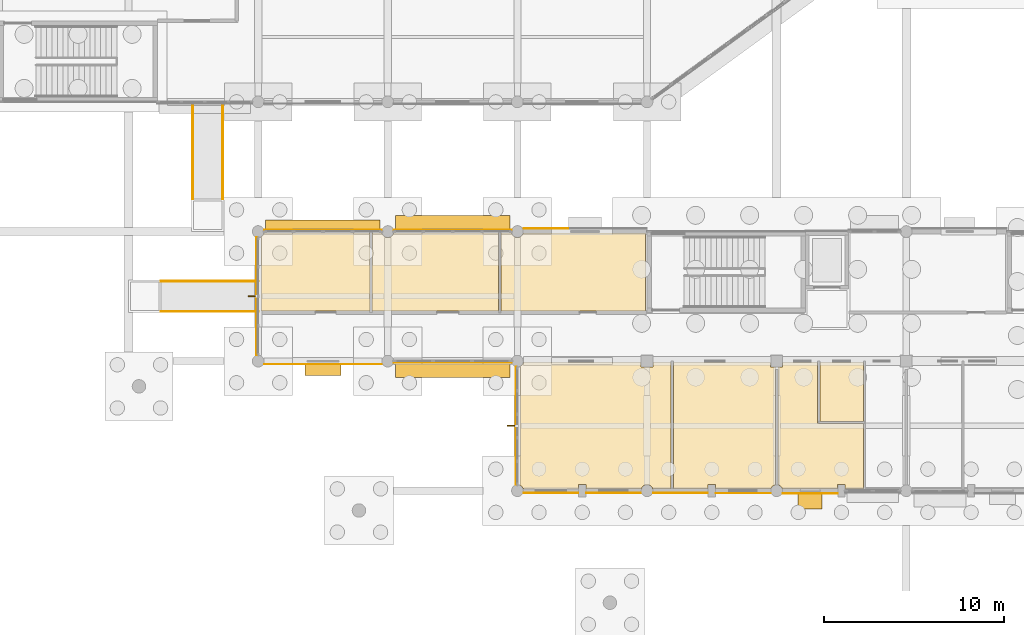
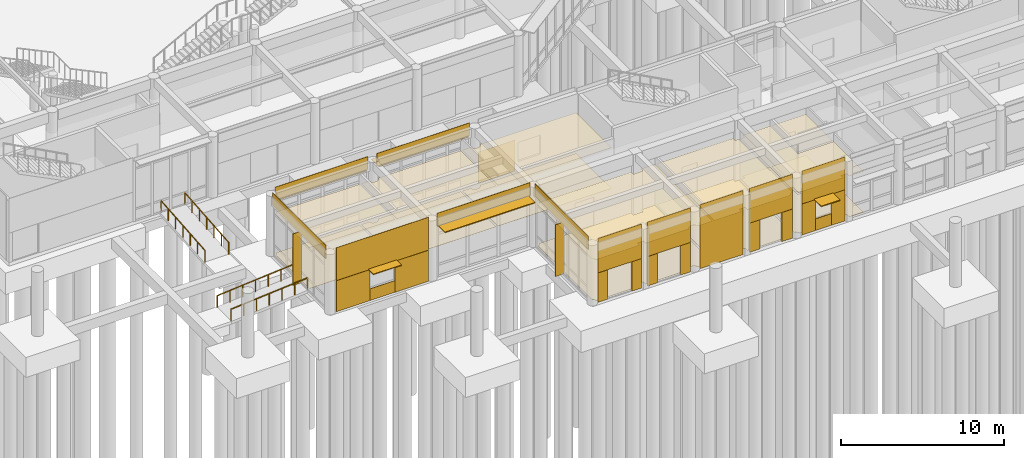
# One storey, part 75 of 103: 38 coverings, 7 shading devices, 4 railings.
"""IFC4 building model written with IfcOpenShell, lengths in metres."""

from ifc_helpers import new_model, si_unit, direction, frame, origin, origin_2d, place, context, subcontext, project, spatial, polyline, rectangle, circle, outline, extrude, material, layer, layer_set, type_object, element, save


model = new_model("IFC4")

# Units and contexts
model_context = context("Model", 3, precision=1e-05, world=origin(), true_north=direction((0.0, 1.0)))
body_context = subcontext(model_context, "Body", "Model", "MODEL_VIEW")
ifc_project = project(units=[si_unit("LENGTHUNIT", "METRE"), si_unit("AREAUNIT", "SQUARE_METRE"), si_unit("VOLUMEUNIT", "CUBIC_METRE"), si_unit("PLANEANGLEUNIT", "RADIAN"), si_unit("MASSUNIT", "GRAM", prefix="KILO")], contexts=[model_context])

# Site, building, storey
site_placement = place(None, origin())
site = spatial("IfcSite", under=ifc_project, at=site_placement, CompositionType="ELEMENT")
building_placement = place(site_placement, origin())
building = spatial("IfcBuilding", under=site, at=building_placement, Name="Namkhue Oval Health Centre", CompositionType="ELEMENT")
storey_placement = place(building_placement, origin())
storey = spatial("IfcBuildingStorey", under=building, at=storey_placement, Name="L00", CompositionType="ELEMENT", Elevation=0.0)

# Coverings
ifc_material_1 = material(Name="Acoustic mineral-fibre cleanroom ceiling", Category="gypsum")
ifc_layer_1 = layer(ifc_material_1, 0.02001953125)
ifc_layer_set_1 = layer_set([ifc_layer_1], Name="Acoustic mineral-fibre cleanroom ceiling")
covering_type_1 = type_object("IfcCoveringType", Name="ACOUSTIC CLEANROOM CEILING 20", PredefinedType="CEILING", material=ifc_layer_set_1)
covering_1_placement = place(storey_placement, frame((0.0, 0.0, 3.050048828125)))
element("IfcCovering", 1, at=covering_1_placement, inside=storey, type_object=covering_type_1, Name="Acoustic Ceiling L00-401 Ambulance Triage Entrance Room", PredefinedType="CEILING", context=body_context, shape_type="SweptSolid", body=[
    extrude(outline(polyline([(57.923828125, 14.485107421875), (57.89013671875, 14.5673828125), (57.8369140625, 14.636962890625), (57.767578125, 14.690185546875), (57.686767578125, 14.7236328125), (57.60009765625, 14.735107421875), (57.51318359375, 14.7236328125), (57.4326171875, 14.690185546875), (57.363037109375, 14.636962890625), (57.309814453125, 14.5673828125), (57.276123046875, 14.485107421875), (54.2099609375, 14.485107421875), (54.2099609375, 14.760009765625), (53.7900390625, 14.760009765625), (53.7900390625, 14.485107421875), (50.723876953125, 14.485107421875), (50.690185546875, 14.5673828125), (50.636962890625, 14.636962890625), (50.5673828125, 14.690185546875), (50.554931640625, 14.6953125), (50.554931640625, 21.3046875), (50.5673828125, 21.309814453125), (50.636962890625, 21.363037109375), (50.690185546875, 21.4326171875), (50.724609375, 21.52001953125), (57.264892578125, 21.52001953125), (57.264892578125, 21.264892578125), (57.93505859375, 21.264892578125), (57.93505859375, 21.52001953125), (58.93310546875, 21.52001953125), (58.93310546875, 14.485107421875), (57.923828125, 14.485107421875)])), origin(), (0.0, 0.0, 1.0), 0.02001953125),
])
covering_2_placement = place(storey_placement, frame((0.0, 0.0, 3.050048828125)))
element("IfcCovering", 2, at=covering_2_placement, inside=storey, type_object=covering_type_1, Name="Acoustic Ceiling L00-402 Fire Control Room", PredefinedType="CEILING", context=body_context, shape_type="SweptSolid", body=[
    extrude(outline(polyline([(61.409912109375, 14.485107421875), (61.409912109375, 14.760009765625), (60.989990234375, 14.760009765625), (60.989990234375, 14.485107421875), (59.072998046875, 14.485107421875), (59.072998046875, 21.52001953125), (64.465087890625, 21.52001953125), (64.465087890625, 21.264892578125), (64.72998046875, 21.264892578125), (64.72998046875, 14.725830078125), (64.71337890625, 14.7236328125), (64.632568359375, 14.690185546875), (64.56298828125, 14.636962890625), (64.510009765625, 14.5673828125), (64.476318359375, 14.485107421875), (61.409912109375, 14.485107421875)])), origin(), (0.0, 0.0, 1.0), 0.02001953125),
])
covering_3_placement = place(storey_placement, frame((0.0, 0.0, 3.050048828125)))
element("IfcCovering", 3, at=covering_3_placement, inside=storey, type_object=covering_type_1, Name="Acoustic Ceiling L00-403 Emergency Decontamination Utility", PredefinedType="CEILING", context=body_context, shape_type="SweptSolid", body=[
    extrude(outline(polyline([(67.080078125, 21.52001953125), (67.080078125, 18.139892578125), (69.6201171875, 18.139892578125), (69.6201171875, 14.485107421875), (68.610107421875, 14.485107421875), (68.610107421875, 14.760009765625), (68.18994140625, 14.760009765625), (68.18994140625, 14.485107421875), (65.123779296875, 14.485107421875), (65.090087890625, 14.5673828125), (65.036865234375, 14.636962890625), (64.967529296875, 14.690185546875), (64.88671875, 14.7236328125), (64.8701171875, 14.725830078125), (64.8701171875, 21.264892578125), (65.135009765625, 21.264892578125), (65.135009765625, 21.52001953125), (67.080078125, 21.52001953125)])), origin(), (0.0, 0.0, 1.0), 0.02001953125),
])
covering_4_placement = place(storey_placement, frame((0.0, 0.0, 3.050048828125)))
element("IfcCovering", 4, at=covering_4_placement, inside=storey, type_object=covering_type_1, Name="Acoustic Ceiling L00-404 Accessible WC", PredefinedType="CEILING", context=body_context, shape_type="SweptSolid", body=[
    extrude(outline(polyline([(67.199951171875, 18.260009765625), (67.199951171875, 21.52001953125), (69.6201171875, 21.52001953125), (69.6201171875, 18.260009765625), (67.199951171875, 18.260009765625)])), origin(), (0.0, 0.0, 1.0), 0.02001953125),
])
covering_5_placement = place(storey_placement, frame((0.0, 0.0, 3.050048828125)))
element("IfcCovering", 5, at=covering_5_placement, inside=storey, type_object=covering_type_1, Name="Acoustic Ceiling L00-409 Minor Trauma Suture Room", PredefinedType="CEILING", context=body_context, shape_type="SweptSolid", body=[
    extrude(outline(polyline([(36.14501953125, 24.3798828125), (36.14501953125, 28.50048828125), (36.16748046875, 28.510009765625), (36.23681640625, 28.56298828125), (36.2900390625, 28.632568359375), (36.32373046875, 28.715087890625), (42.212890625, 28.715087890625), (42.212890625, 24.3798828125), (36.14501953125, 24.3798828125)])), origin(), (0.0, 0.0, 1.0), 0.02001953125),
])
covering_6_placement = place(storey_placement, frame((0.0, 0.0, 3.050048828125)))
element("IfcCovering", 6, at=covering_6_placement, inside=storey, type_object=covering_type_1, Name="Acoustic Ceiling L00-410 Plaster Fracture Treatment Room", PredefinedType="CEILING", context=body_context, shape_type="SweptSolid", body=[
    extrude(outline(polyline([(42.3330078125, 24.3798828125), (42.3330078125, 28.715087890625), (42.876220703125, 28.715087890625), (42.909912109375, 28.632568359375), (42.963134765625, 28.56298828125), (43.032470703125, 28.510009765625), (43.11328125, 28.476318359375), (43.199951171875, 28.465087890625), (43.28662109375, 28.476318359375), (43.367431640625, 28.510009765625), (43.43701171875, 28.56298828125), (43.489990234375, 28.632568359375), (43.523681640625, 28.715087890625), (49.360107421875, 28.715087890625), (49.360107421875, 24.3798828125), (42.3330078125, 24.3798828125)])), origin(), (0.0, 0.0, 1.0), 0.02001953125),
])
covering_7_placement = place(storey_placement, frame((0.0, 0.0, 3.050048828125)))
element("IfcCovering", 7, at=covering_7_placement, inside=storey, type_object=covering_type_1, Name="Acoustic Ceiling L00-411 Ambulance Triage Consultation", PredefinedType="CEILING", context=body_context, shape_type="SweptSolid", body=[
    extrude(outline(polyline([(49.47998046875, 24.3798828125), (49.47998046875, 28.715087890625), (50.076171875, 28.715087890625), (50.10986328125, 28.632568359375), (50.1630859375, 28.56298828125), (50.232421875, 28.510009765625), (50.313232421875, 28.476318359375), (50.39990234375, 28.465087890625), (50.48681640625, 28.476318359375), (50.5673828125, 28.510009765625), (50.636962890625, 28.56298828125), (50.690185546875, 28.632568359375), (50.723876953125, 28.715087890625), (57.52001953125, 28.715087890625), (57.52001953125, 24.3798828125), (49.47998046875, 24.3798828125)])), origin(), (0.0, 0.0, 1.0), 0.02001953125),
])
ifc_material_2 = material(Name="Homogeneous anti-bacterial clinical vinyl flooring", Category="plastic")
ifc_layer_2 = layer(ifc_material_2, 0.014892578125)
ifc_layer_set_2 = layer_set([ifc_layer_2], Name="Homogeneous anti-bacterial clinical vinyl flooring")
covering_type_2 = type_object("IfcCoveringType", Name="CLINICAL ANTIBACTERIAL VINYL FLOORING 15", PredefinedType="FLOORING", material=ifc_layer_set_2)
covering_8_placement = place(storey_placement, origin())
element("IfcCovering", 8, at=covering_8_placement, inside=storey, type_object=covering_type_2, Name="Clinical Flooring L00-401 Ambulance Triage Entrance Room", PredefinedType="FLOORING", context=body_context, shape_type="SweptSolid", body=[
    extrude(outline(polyline([(57.923828125, 14.485107421875), (57.89013671875, 14.5673828125), (57.8369140625, 14.636962890625), (57.767578125, 14.690185546875), (57.686767578125, 14.7236328125), (57.60009765625, 14.735107421875), (57.51318359375, 14.7236328125), (57.4326171875, 14.690185546875), (57.363037109375, 14.636962890625), (57.309814453125, 14.5673828125), (57.276123046875, 14.485107421875), (54.2099609375, 14.485107421875), (54.2099609375, 14.760009765625), (53.7900390625, 14.760009765625), (53.7900390625, 14.485107421875), (50.723876953125, 14.485107421875), (50.690185546875, 14.5673828125), (50.636962890625, 14.636962890625), (50.5673828125, 14.690185546875), (50.554931640625, 14.6953125), (50.554931640625, 21.3046875), (50.5673828125, 21.309814453125), (50.636962890625, 21.363037109375), (50.690185546875, 21.4326171875), (50.724609375, 21.52001953125), (57.264892578125, 21.52001953125), (57.264892578125, 21.264892578125), (57.93505859375, 21.264892578125), (57.93505859375, 21.52001953125), (58.93310546875, 21.52001953125), (58.93310546875, 14.485107421875), (57.923828125, 14.485107421875)])), origin(), (0.0, 0.0, 1.0), 0.014892578125),
])
covering_9_placement = place(storey_placement, origin())
element("IfcCovering", 9, at=covering_9_placement, inside=storey, type_object=covering_type_2, Name="Clinical Flooring L00-402 Fire Control Room", PredefinedType="FLOORING", context=body_context, shape_type="SweptSolid", body=[
    extrude(outline(polyline([(61.409912109375, 14.485107421875), (61.409912109375, 14.760009765625), (60.989990234375, 14.760009765625), (60.989990234375, 14.485107421875), (59.072998046875, 14.485107421875), (59.072998046875, 21.52001953125), (64.465087890625, 21.52001953125), (64.465087890625, 21.264892578125), (64.72998046875, 21.264892578125), (64.72998046875, 14.725830078125), (64.71337890625, 14.7236328125), (64.632568359375, 14.690185546875), (64.56298828125, 14.636962890625), (64.510009765625, 14.5673828125), (64.476318359375, 14.485107421875), (61.409912109375, 14.485107421875)])), origin(), (0.0, 0.0, 1.0), 0.014892578125),
])
covering_10_placement = place(storey_placement, origin())
element("IfcCovering", 10, at=covering_10_placement, inside=storey, type_object=covering_type_2, Name="Clinical Flooring L00-403 Emergency Decontamination Utility", PredefinedType="FLOORING", context=body_context, shape_type="SweptSolid", body=[
    extrude(outline(polyline([(67.080078125, 21.52001953125), (67.080078125, 18.139892578125), (69.6201171875, 18.139892578125), (69.6201171875, 14.485107421875), (68.610107421875, 14.485107421875), (68.610107421875, 14.760009765625), (68.18994140625, 14.760009765625), (68.18994140625, 14.485107421875), (65.123779296875, 14.485107421875), (65.090087890625, 14.5673828125), (65.036865234375, 14.636962890625), (64.967529296875, 14.690185546875), (64.88671875, 14.7236328125), (64.8701171875, 14.725830078125), (64.8701171875, 21.264892578125), (65.135009765625, 21.264892578125), (65.135009765625, 21.52001953125), (67.080078125, 21.52001953125)])), origin(), (0.0, 0.0, 1.0), 0.014892578125),
])
covering_11_placement = place(storey_placement, origin())
element("IfcCovering", 11, at=covering_11_placement, inside=storey, type_object=covering_type_2, Name="Clinical Flooring L00-404 Accessible WC", PredefinedType="FLOORING", context=body_context, shape_type="SweptSolid", body=[
    extrude(outline(polyline([(67.199951171875, 18.260009765625), (67.199951171875, 21.52001953125), (69.6201171875, 21.52001953125), (69.6201171875, 18.260009765625), (67.199951171875, 18.260009765625)])), origin(), (0.0, 0.0, 1.0), 0.014892578125),
])
covering_12_placement = place(storey_placement, origin())
element("IfcCovering", 12, at=covering_12_placement, inside=storey, type_object=covering_type_2, Name="Clinical Flooring L00-409 Minor Trauma Suture Room", PredefinedType="FLOORING", context=body_context, shape_type="SweptSolid", body=[
    extrude(outline(polyline([(36.14501953125, 24.3798828125), (36.14501953125, 28.50048828125), (36.16748046875, 28.510009765625), (36.23681640625, 28.56298828125), (36.2900390625, 28.632568359375), (36.32373046875, 28.715087890625), (42.212890625, 28.715087890625), (42.212890625, 24.3798828125), (36.14501953125, 24.3798828125)])), origin(), (0.0, 0.0, 1.0), 0.014892578125),
])
covering_13_placement = place(storey_placement, origin())
element("IfcCovering", 13, at=covering_13_placement, inside=storey, type_object=covering_type_2, Name="Clinical Flooring L00-410 Plaster Fracture Treatment Room", PredefinedType="FLOORING", context=body_context, shape_type="SweptSolid", body=[
    extrude(outline(polyline([(42.3330078125, 24.3798828125), (42.3330078125, 28.715087890625), (42.876220703125, 28.715087890625), (42.909912109375, 28.632568359375), (42.963134765625, 28.56298828125), (43.032470703125, 28.510009765625), (43.11328125, 28.476318359375), (43.199951171875, 28.465087890625), (43.28662109375, 28.476318359375), (43.367431640625, 28.510009765625), (43.43701171875, 28.56298828125), (43.489990234375, 28.632568359375), (43.523681640625, 28.715087890625), (49.360107421875, 28.715087890625), (49.360107421875, 24.3798828125), (42.3330078125, 24.3798828125)])), origin(), (0.0, 0.0, 1.0), 0.014892578125),
])
covering_14_placement = place(storey_placement, origin())
element("IfcCovering", 14, at=covering_14_placement, inside=storey, type_object=covering_type_2, Name="Clinical Flooring L00-411 Ambulance Triage Consultation", PredefinedType="FLOORING", context=body_context, shape_type="SweptSolid", body=[
    extrude(outline(polyline([(49.47998046875, 24.3798828125), (49.47998046875, 28.715087890625), (50.076171875, 28.715087890625), (50.10986328125, 28.632568359375), (50.1630859375, 28.56298828125), (50.232421875, 28.510009765625), (50.313232421875, 28.476318359375), (50.39990234375, 28.465087890625), (50.48681640625, 28.476318359375), (50.5673828125, 28.510009765625), (50.636962890625, 28.56298828125), (50.690185546875, 28.632568359375), (50.723876953125, 28.715087890625), (57.52001953125, 28.715087890625), (57.52001953125, 24.3798828125), (49.47998046875, 24.3798828125)])), origin(), (0.0, 0.0, 1.0), 0.014892578125),
])

# Railings
ifc_material_3 = material(Name="Brushed stainless steel 304 tubular handrail", Category="steel")
railing_type = type_object("IfcRailingType", Name="EXTERIOR RAMP HANDRAIL 900", PredefinedType="HANDRAIL", material=ifc_material_3)
for number, where, name in (
    (15, (32.360107421875, 30.60009765625, -0.449951171875), "Waiting Hall South Pharmacy Ramp Handrail L"),
    (16, (34.0400390625, 30.60009765625, -0.449951171875), "Waiting Hall South Pharmacy Ramp Handrail R"),
):
    element("IfcRailing", number, at=place(storey_placement, frame(where)), inside=storey, type_object=railing_type, Name=name, PredefinedType="HANDRAIL", context=body_context, shape_type="SweptSolid", body=[
        extrude(circle(Radius=0.02392578125, at=origin_2d()), frame((0.0, 0.0, 0.8759765625), z_axis=(0.0, 0.996546379678, 0.083038022323), x_axis=(-1.0, 0.0, 0.0)), (0.0, 0.0, 1.0), 5.418701171875),
        extrude(circle(Radius=0.02099609375, at=origin_2d()), origin(), (0.0, 0.0, 1.0), 0.851806640625),
        extrude(circle(Radius=0.02099609375, at=origin_2d()), frame((0.0, 0.89990234375, 0.074951171875)), (0.0, 0.0, 1.0), 0.851806640625),
        extrude(circle(Radius=0.02099609375, at=origin_2d()), frame((0.0, 1.800048828125, 0.14990234375)), (0.0, 0.0, 1.0), 0.851806640625),
        extrude(circle(Radius=0.02099609375, at=origin_2d()), frame((0.0, 2.699951171875, 0.22509765625)), (0.0, 0.0, 1.0), 0.851806640625),
        extrude(circle(Radius=0.02099609375, at=origin_2d()), frame((0.0, 3.599853515625, 0.300048828125)), (0.0, 0.0, 1.0), 0.851806640625),
        extrude(circle(Radius=0.02099609375, at=origin_2d()), frame((0.0, 4.5, 0.375)), (0.0, 0.0, 1.0), 0.851806640625),
        extrude(circle(Radius=0.02099609375, at=origin_2d()), frame((0.0, 5.39990234375, 0.449951171875)), (0.0, 0.0, 1.0), 0.851806640625),
    ])
for number, where, name in (
    (17, (30.60009765625, 26.0400390625, -0.449951171875), "Emergency Triage West Arrival Ramp Handrail L"),
    (18, (30.60009765625, 24.360107421875, -0.449951171875), "Emergency Triage West Arrival Ramp Handrail R"),
):
    element("IfcRailing", number, at=place(storey_placement, frame(where)), inside=storey, type_object=railing_type, Name=name, PredefinedType="HANDRAIL", context=body_context, shape_type="SweptSolid", body=[
        extrude(circle(Radius=0.02392578125, at=origin_2d()), frame((0.0, 0.0, 0.8759765625), z_axis=(0.996546379678, 0.0, 0.083038022323), x_axis=(0.0, 1.0, 0.0)), (0.0, 0.0, 1.0), 5.418701171875),
        extrude(circle(Radius=0.02099609375, at=origin_2d()), origin(), (0.0, 0.0, 1.0), 0.851806640625),
        extrude(circle(Radius=0.02099609375, at=origin_2d()), frame((0.89990234375, 0.0, 0.074951171875)), (0.0, 0.0, 1.0), 0.851806640625),
        extrude(circle(Radius=0.02099609375, at=origin_2d()), frame((1.800048828125, 0.0, 0.14990234375)), (0.0, 0.0, 1.0), 0.851806640625),
        extrude(circle(Radius=0.02099609375, at=origin_2d()), frame((2.699951171875, 0.0, 0.22509765625)), (0.0, 0.0, 1.0), 0.851806640625),
        extrude(circle(Radius=0.02099609375, at=origin_2d()), frame((3.599853515625, 0.0, 0.300048828125)), (0.0, 0.0, 1.0), 0.851806640625),
        extrude(circle(Radius=0.02099609375, at=origin_2d()), frame((4.5, 0.0, 0.375)), (0.0, 0.0, 1.0), 0.851806640625),
        extrude(circle(Radius=0.02099609375, at=origin_2d()), frame((5.39990234375, 0.0, 0.449951171875)), (0.0, 0.0, 1.0), 0.851806640625),
    ])

# Shading devices
ifc_material_4 = material(Name="Anodised aluminium EN AW-6063 T6", Category="aluminium")
ifc_layer_3 = layer(ifc_material_4, 0.06005859375)
ifc_layer_set_3 = layer_set([ifc_layer_3], Name="Anodised aluminium EN AW-6063 T6")
shading_device_type_1 = type_object("IfcShadingDeviceType", Name="MONSOON SUN LOUVRE 900", PredefinedType="JALOUSIE", material=ifc_layer_set_3)
shading_device_1_placement = place(storey_placement, frame((66.662109375, 13.830078125, 2.340087890625), z_axis=(0.0, 0.0, 1.0), x_axis=(1.0, 0.0, 0.0)))
element("IfcShadingDevice", 19, at=shading_device_1_placement, inside=storey, type_object=shading_device_type_1, Name="Volume V4 L00 Window Monsoon Louvre 180", PredefinedType="JALOUSIE", context=body_context, shape_type="SweptSolid", body=[
    extrude(rectangle(XDim=1.340087890625, YDim=0.89990234375, at=origin_2d()), origin(), (0.0, 0.0, 1.0), 0.06005859375),
])
for number, where, z_axis, x_axis, name in (
    (20, (46.800048828125, 29.25, 3.7900390625), (0.0, 0.0, 1.0), (-1.0, 0.0, 0.0), "Volume V4 L00 Horizontal Monsoon Sun Louvre 190"),
    (21, (46.800048828125, 21.14990234375, 3.7900390625), (0.0, 0.0, 1.0), (1.0, 0.0, 0.0), "Volume V4 L00 Horizontal Monsoon Sun Louvre 194"),
):
    element("IfcShadingDevice", number, at=place(storey_placement, frame(where, z_axis=z_axis, x_axis=x_axis)), inside=storey, type_object=shading_device_type_1, Name=name, PredefinedType="JALOUSIE", context=body_context, shape_type="SweptSolid", body=[
        extrude(rectangle(XDim=6.360107421875, YDim=0.89990234375, at=origin_2d()), origin(), (0.0, 0.0, 1.0), 0.06005859375),
    ])
ifc_layer_4 = layer(ifc_material_4, 0.050048828125)
ifc_layer_set_4 = layer_set([ifc_layer_4], Name="Anodised aluminium EN AW-6063 T6")
shading_device_type_2 = type_object("IfcShadingDeviceType", Name="STORM SHUTTER LOUVRE 650", PredefinedType="SHUTTER", material=ifc_layer_set_4)
shading_device_2_placement = place(storey_placement, frame((39.60009765625, 29.125, 3.7900390625), z_axis=(0.0, 0.0, 1.0), x_axis=(-1.0, 0.0, 0.0)))
element("IfcShadingDevice", 22, at=shading_device_2_placement, inside=storey, type_object=shading_device_type_2, Name="Volume V4 L00 Horizontal Monsoon Sun Louvre 191", PredefinedType="SHUTTER", context=body_context, shape_type="SweptSolid", body=[
    extrude(rectangle(XDim=6.360107421875, YDim=0.64990234375, at=origin_2d()), origin(), (0.0, 0.0, 1.0), 0.06005859375),
])
shading_device_3_placement = place(storey_placement, frame((39.60009765625, 21.125, 2.340087890625), z_axis=(0.0, 0.0, 1.0), x_axis=(1.0, 0.0, 0.0)))
element("IfcShadingDevice", 23, at=shading_device_3_placement, inside=storey, type_object=shading_device_type_2, Name="Volume V4 L00 Window Monsoon Louvre 193", PredefinedType="SHUTTER", context=body_context, shape_type="SweptSolid", body=[
    extrude(rectangle(XDim=1.989990234375, YDim=0.64990234375, at=origin_2d()), origin(), (0.0, 0.0, 1.0), 0.06005859375),
])
shading_device_type_3 = type_object("IfcShadingDeviceType", Name="VERTICAL SOLAR FIN 600", PredefinedType="USERDEFINED", material=ifc_material_4)
for number, where, z_axis, x_axis, name in (
    (24, (35.739990234375, 25.199951171875, 0.0), (0.0, 0.0, 1.0), (-1.0, 0.0, 0.0), "Volume V4 L00 Extruded Aluminium Solar Fin 192"),
    (25, (50.139892578125, 18.0, 0.0), (0.0, 0.0, 1.0), (-1.0, 0.0, 0.0), "Volume V4 L00 Extruded Aluminium Solar Fin 195"),
):
    element("IfcShadingDevice", number, at=place(storey_placement, frame(where, z_axis=z_axis, x_axis=x_axis)), inside=storey, type_object=shading_device_type_3, Name=name, ObjectType="SOLAR FIN", PredefinedType="USERDEFINED", context=body_context, shape_type="SweptSolid", body=[
        extrude(rectangle(XDim=0.60009765625, YDim=0.06005859375, at=origin_2d()), origin(), (0.0, 0.0, 1.0), 3.860107421875),
    ])

# Coverings
ifc_material_5 = material(Name="White glass-fibre reinforced concrete GRC rainscreen cladding", Category="concrete")
ifc_layer_5 = layer(ifc_material_5, 0.02490234375)
ifc_layer_set_5 = layer_set([ifc_layer_5], Name="White glass-fibre reinforced concrete GRC rainscreen cladding")
covering_type_3 = type_object("IfcCoveringType", Name="WHITE GRC RAINSCREEN CLADDING 25", PredefinedType="CLADDING", material=ifc_layer_set_5)
covering_15_placement = place(storey_placement, frame((52.261962890625, 14.278076171875, 2.21484375), z_axis=(0.0, 0.0, 1.0), x_axis=(1.0, 0.0, 0.0)))
element("IfcCovering", 26, at=covering_15_placement, inside=storey, type_object=covering_type_3, Name="Volume V4 L00 Facade 85 White GRC Cladding 1", PredefinedType="CLADDING", context=body_context, shape_type="SweptSolid", body=[
    extrude(rectangle(XDim=3.0439453125, YDim=0.02490234375, at=origin_2d()), origin(), (0.0, 0.0, 1.0), 2.574951171875),
])
for number, where, z_axis, x_axis, name in (
    (27, (51.073486328125, 14.278076171875, 0.01025390625), (0.0, 0.0, 1.0), (1.0, 0.0, 0.0), "Volume V4 L00 Facade 85 White GRC Cladding 2"),
    (28, (53.450439453125, 14.278076171875, 0.01025390625), (0.0, 0.0, 1.0), (1.0, 0.0, 0.0), "Volume V4 L00 Facade 85 White GRC Cladding 3"),
):
    element("IfcCovering", number, at=place(storey_placement, frame(where, z_axis=z_axis, x_axis=x_axis)), inside=storey, type_object=covering_type_3, Name=name, PredefinedType="CLADDING", context=body_context, shape_type="SweptSolid", body=[
        extrude(rectangle(XDim=0.6669921875, YDim=0.02490234375, at=origin_2d()), origin(), (0.0, 0.0, 1.0), 2.199951171875),
    ])
covering_16_placement = place(storey_placement, frame((55.738037109375, 14.27294921875, 2.21484375), z_axis=(0.0, 0.0, 1.0), x_axis=(1.0, 0.0, 0.0)))
element("IfcCovering", 29, at=covering_16_placement, inside=storey, type_object=covering_type_3, Name="Volume V4 L00 Facade 86 White GRC Cladding 1", PredefinedType="CLADDING", context=body_context, shape_type="SweptSolid", body=[
    extrude(rectangle(XDim=3.0439453125, YDim=0.02490234375, at=origin_2d()), origin(), (0.0, 0.0, 1.0), 2.574951171875),
])
for number, where, z_axis, x_axis, name in (
    (30, (54.569580078125, 14.27294921875, 0.01025390625), (0.0, 0.0, 1.0), (1.0, 0.0, 0.0), "Volume V4 L00 Facade 86 White GRC Cladding 2"),
    (31, (56.906494140625, 14.27294921875, 0.01025390625), (0.0, 0.0, 1.0), (1.0, 0.0, 0.0), "Volume V4 L00 Facade 86 White GRC Cladding 3"),
):
    element("IfcCovering", number, at=place(storey_placement, frame(where, z_axis=z_axis, x_axis=x_axis)), inside=storey, type_object=covering_type_3, Name=name, PredefinedType="CLADDING", context=body_context, shape_type="SweptSolid", body=[
        extrude(rectangle(XDim=0.70703125, YDim=0.02490234375, at=origin_2d()), origin(), (0.0, 0.0, 1.0), 2.199951171875),
    ])
covering_17_placement = place(storey_placement, frame((59.4619140625, 14.26806640625, 0.009765625), z_axis=(0.0, 0.0, 1.0), x_axis=(1.0, 0.0, 0.0)))
element("IfcCovering", 32, at=covering_17_placement, inside=storey, type_object=covering_type_3, Name="Volume V4 L00 Facade 87 White GRC Cladding 1", PredefinedType="CLADDING", context=body_context, shape_type="SweptSolid", body=[
    extrude(rectangle(XDim=3.0439453125, YDim=0.02490234375, at=origin_2d()), origin(), (0.0, 0.0, 1.0), 4.780029296875),
])
covering_18_placement = place(storey_placement, frame((62.93798828125, 14.262939453125, 2.19482421875), z_axis=(0.0, 0.0, 1.0), x_axis=(1.0, 0.0, 0.0)))
element("IfcCovering", 33, at=covering_18_placement, inside=storey, type_object=covering_type_3, Name="Volume V4 L00 Facade 88 White GRC Cladding 1", PredefinedType="CLADDING", context=body_context, shape_type="SweptSolid", body=[
    extrude(rectangle(XDim=3.0439453125, YDim=0.02490234375, at=origin_2d()), origin(), (0.0, 0.0, 1.0), 2.594970703125),
])
for number, where, z_axis, x_axis, name in (
    (34, (61.78955078125, 14.262939453125, 0.01025390625), (0.0, 0.0, 1.0), (1.0, 0.0, 0.0), "Volume V4 L00 Facade 88 White GRC Cladding 2"),
    (35, (64.08642578125, 14.262939453125, 0.01025390625), (0.0, 0.0, 1.0), (1.0, 0.0, 0.0), "Volume V4 L00 Facade 88 White GRC Cladding 3"),
):
    element("IfcCovering", number, at=place(storey_placement, frame(where, z_axis=z_axis, x_axis=x_axis)), inside=storey, type_object=covering_type_3, Name=name, PredefinedType="CLADDING", context=body_context, shape_type="SweptSolid", body=[
        extrude(rectangle(XDim=0.7470703125, YDim=0.02490234375, at=origin_2d()), origin(), (0.0, 0.0, 1.0), 2.179931640625),
    ])
covering_19_placement = place(storey_placement, frame((66.662109375, 14.258056640625, 2.3349609375), z_axis=(0.0, 0.0, 1.0), x_axis=(1.0, 0.0, 0.0)))
element("IfcCovering", 36, at=covering_19_placement, inside=storey, type_object=covering_type_3, Name="Volume V4 L00 Facade 89 White GRC Cladding 1", PredefinedType="CLADDING", context=body_context, shape_type="SweptSolid", body=[
    extrude(rectangle(XDim=3.0439453125, YDim=0.02490234375, at=origin_2d()), origin(), (0.0, 0.0, 1.0), 2.455078125),
])
covering_20_placement = place(storey_placement, frame((65.618408203125, 14.258056640625, 0.009765625), z_axis=(0.0, 0.0, 1.0), x_axis=(1.0, 0.0, 0.0)))
element("IfcCovering", 37, at=covering_20_placement, inside=storey, type_object=covering_type_3, Name="Volume V4 L00 Facade 89 White GRC Cladding 2", PredefinedType="CLADDING", context=body_context, shape_type="SweptSolid", body=[
    extrude(rectangle(XDim=0.95703125, YDim=0.02490234375, at=origin_2d()), origin(), (0.0, 0.0, 1.0), 2.320068359375),
])
covering_21_placement = place(storey_placement, frame((66.662109375, 14.258056640625, 0.010009765625), z_axis=(0.0, 0.0, 1.0), x_axis=(1.0, 0.0, 0.0)))
element("IfcCovering", 38, at=covering_21_placement, inside=storey, type_object=covering_type_3, Name="Volume V4 L00 Facade 89 White GRC Cladding 3", PredefinedType="CLADDING", context=body_context, shape_type="SweptSolid", body=[
    extrude(rectangle(XDim=1.1201171875, YDim=0.02490234375, at=origin_2d()), origin(), (0.0, 0.0, 1.0), 0.875),
])
covering_22_placement = place(storey_placement, frame((67.70556640625, 14.258056640625, 0.009765625), z_axis=(0.0, 0.0, 1.0), x_axis=(1.0, 0.0, 0.0)))
element("IfcCovering", 39, at=covering_22_placement, inside=storey, type_object=covering_type_3, Name="Volume V4 L00 Facade 89 White GRC Cladding 4", PredefinedType="CLADDING", context=body_context, shape_type="SweptSolid", body=[
    extrude(rectangle(XDim=0.95703125, YDim=0.02490234375, at=origin_2d()), origin(), (0.0, 0.0, 1.0), 2.320068359375),
])
covering_23_placement = place(storey_placement, frame((52.0419921875, 28.967041015625, 0.009765625), z_axis=(0.0, 0.0, 1.0), x_axis=(-1.0, 0.0, 0.0)))
element("IfcCovering", 40, at=covering_23_placement, inside=storey, type_object=covering_type_3, Name="Volume V4 L00 Facade 94 White GRC Cladding 4", PredefinedType="CLADDING", context=body_context, shape_type="SweptSolid", body=[
    extrude(rectangle(XDim=2.60400390625, YDim=0.02490234375, at=origin_2d()), origin(), (0.0, 0.0, 1.0), 2.320068359375),
])
for number, where, z_axis, x_axis, name in (
    (41, (46.800048828125, 28.888427734375, 3.844970703125), (0.0, 0.0, 1.0), (-1.0, 0.0, 0.0), "Volume V4 L00 Curtain Wall Spandrel Cladding 141"),
    (42, (39.60009765625, 28.888427734375, 3.844970703125), (0.0, 0.0, 1.0), (-1.0, 0.0, 0.0), "Volume V4 L00 Curtain Wall Spandrel Cladding 142"),
    (43, (35.91162109375, 25.199951171875, 3.844970703125), (0.0, 0.0, 1.0), (0.0, -1.0, 0.0), "Volume V4 L00 Curtain Wall Spandrel Cladding 143"),
):
    element("IfcCovering", number, at=place(storey_placement, frame(where, z_axis=z_axis, x_axis=x_axis)), inside=storey, type_object=covering_type_3, Name=name, PredefinedType="CLADDING", context=body_context, shape_type="SweptSolid", body=[
        extrude(rectangle(XDim=6.550048828125, YDim=0.02490234375, at=origin_2d()), origin(), (0.0, 0.0, 1.0), 0.955078125),
    ])
covering_24_placement = place(storey_placement, frame((39.60009765625, 21.427978515625, 2.3349609375), z_axis=(0.0, 0.0, 1.0), x_axis=(1.0, 0.0, 0.0)))
element("IfcCovering", 44, at=covering_24_placement, inside=storey, type_object=covering_type_3, Name="Volume V4 L00 Facade 95 White GRC Cladding 1", PredefinedType="CLADDING", context=body_context, shape_type="SweptSolid", body=[
    extrude(rectangle(XDim=6.52001953125, YDim=0.02490234375, at=origin_2d()), origin(), (0.0, 0.0, 1.0), 2.455078125),
])
covering_25_placement = place(storey_placement, frame((37.52490234375, 21.427978515625, 0.009765625), z_axis=(0.0, 0.0, 1.0), x_axis=(1.0, 0.0, 0.0)))
element("IfcCovering", 45, at=covering_25_placement, inside=storey, type_object=covering_type_3, Name="Volume V4 L00 Facade 95 White GRC Cladding 2", PredefinedType="CLADDING", context=body_context, shape_type="SweptSolid", body=[
    extrude(rectangle(XDim=2.3701171875, YDim=0.02490234375, at=origin_2d()), origin(), (0.0, 0.0, 1.0), 2.320068359375),
])
covering_26_placement = place(storey_placement, frame((39.60009765625, 21.427978515625, 0.010009765625), z_axis=(0.0, 0.0, 1.0), x_axis=(1.0, 0.0, 0.0)))
element("IfcCovering", 46, at=covering_26_placement, inside=storey, type_object=covering_type_3, Name="Volume V4 L00 Facade 95 White GRC Cladding 3", PredefinedType="CLADDING", context=body_context, shape_type="SweptSolid", body=[
    extrude(rectangle(XDim=1.77001953125, YDim=0.02490234375, at=origin_2d()), origin(), (0.0, 0.0, 1.0), 0.875),
])
covering_27_placement = place(storey_placement, frame((41.675048828125, 21.427978515625, 0.009765625), z_axis=(0.0, 0.0, 1.0), x_axis=(1.0, 0.0, 0.0)))
element("IfcCovering", 47, at=covering_27_placement, inside=storey, type_object=covering_type_3, Name="Volume V4 L00 Facade 95 White GRC Cladding 4", PredefinedType="CLADDING", context=body_context, shape_type="SweptSolid", body=[
    extrude(rectangle(XDim=2.3701171875, YDim=0.02490234375, at=origin_2d()), origin(), (0.0, 0.0, 1.0), 2.320068359375),
])
for number, where, z_axis, x_axis, name in (
    (48, (46.800048828125, 21.511474609375, 3.844970703125), (0.0, 0.0, 1.0), (1.0, 0.0, 0.0), "Volume V4 L00 Curtain Wall Spandrel Cladding 144"),
    (49, (50.3115234375, 18.0, 3.844970703125), (0.0, 0.0, 1.0), (0.0, -1.0, 0.0), "Volume V4 L00 Curtain Wall Spandrel Cladding 145"),
):
    element("IfcCovering", number, at=place(storey_placement, frame(where, z_axis=z_axis, x_axis=x_axis)), inside=storey, type_object=covering_type_3, Name=name, PredefinedType="CLADDING", context=body_context, shape_type="SweptSolid", body=[
        extrude(rectangle(XDim=6.550048828125, YDim=0.02490234375, at=origin_2d()), origin(), (0.0, 0.0, 1.0), 0.955078125),
    ])

save(model, "model.ifc")
